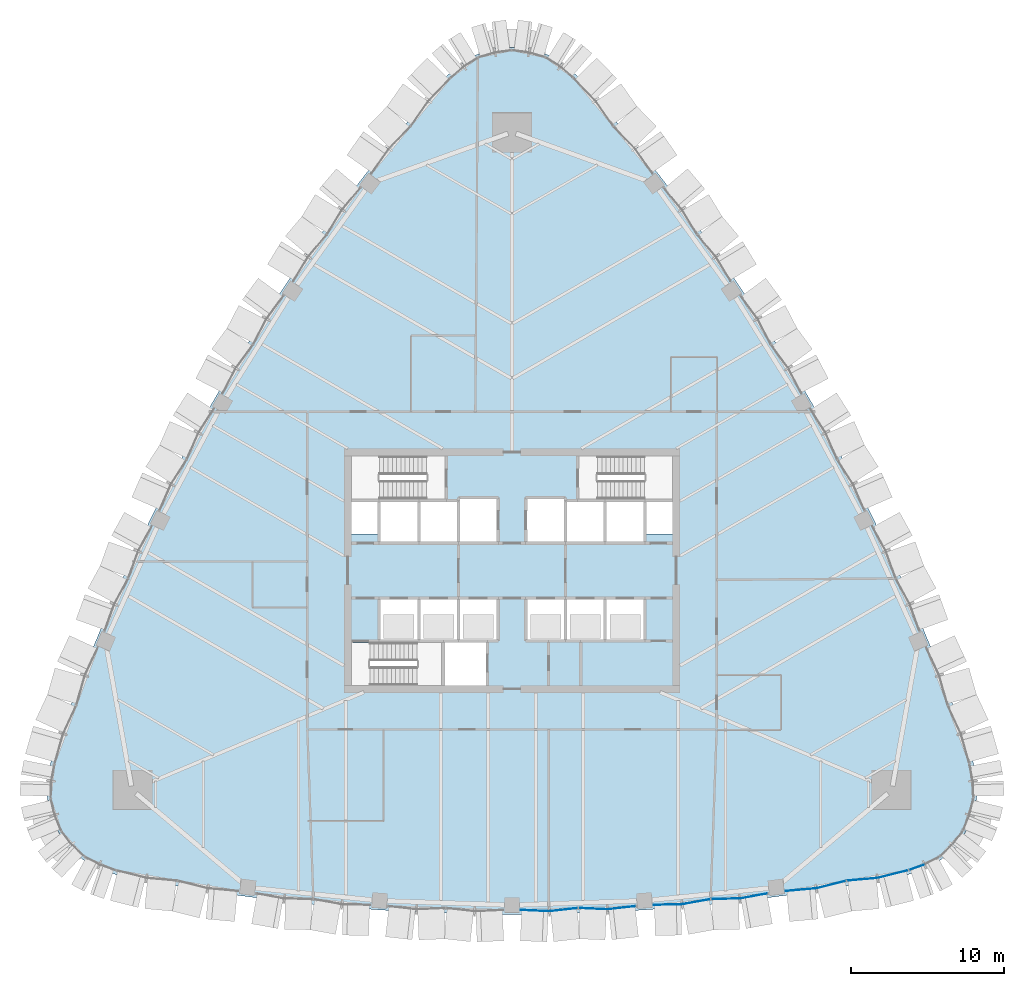
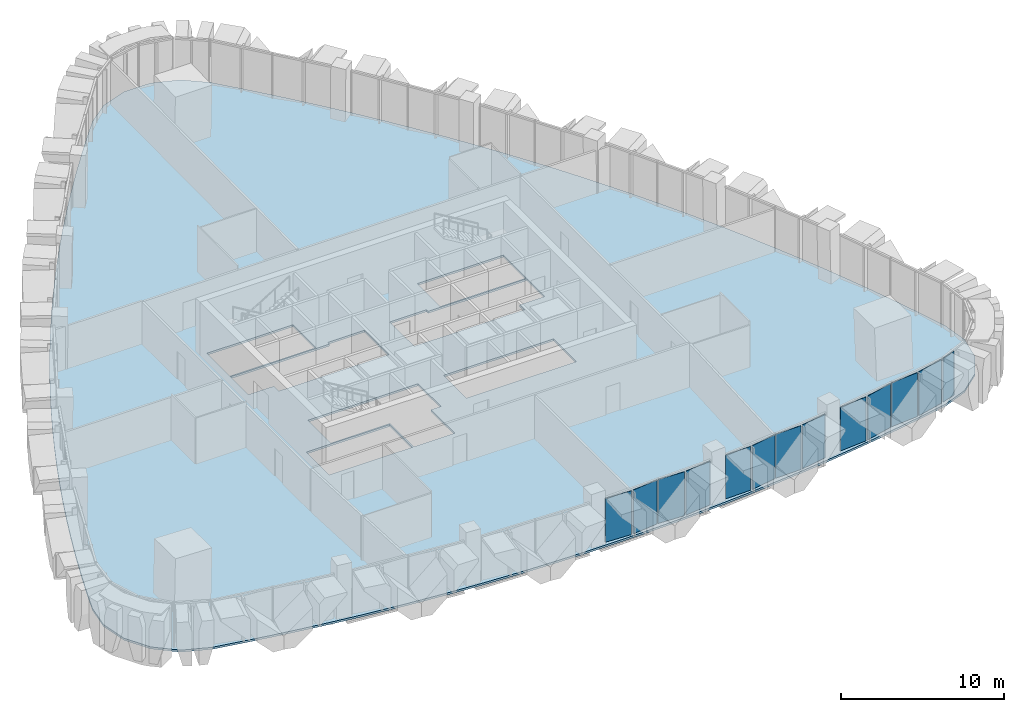
# One storey, part 9 of 18: 13 plates, 1 slab, 4 elements without a shape of their own.
"""IFC4 building model written with IfcOpenShell, lengths in metres."""

from ifc_helpers import new_model, si_unit, direction, frame, origin, place, context, subcontext, project, spatial, polyline, outline, extrude, material, layer, layer_set, type_object, element, aggregate, save


model = new_model("IFC4")

# Units and contexts
model_context = context("Model", 3, precision=1e-05, world=origin(), true_north=direction((0.0, 1.0)))
body_context = subcontext(model_context, "Body", "Model", "MODEL_VIEW")
ifc_project = project(units=[si_unit("LENGTHUNIT", "METRE"), si_unit("AREAUNIT", "SQUARE_METRE"), si_unit("VOLUMEUNIT", "CUBIC_METRE"), si_unit("PLANEANGLEUNIT", "RADIAN"), si_unit("MASSUNIT", "GRAM", prefix="KILO")], contexts=[model_context])

# Site, building, storey
site_placement = place(None, origin())
site = spatial("IfcSite", under=ifc_project, at=site_placement, CompositionType="ELEMENT")
building_placement = place(site_placement, origin())
building = spatial("IfcBuilding", under=site, at=building_placement, Name="Sierra Prisma Convention Tower", CompositionType="ELEMENT")
storey_placement = place(building_placement, frame((0.0, 0.0, 133.800048828125)))
storey = spatial("IfcBuildingStorey", under=building, at=storey_placement, Name="L28", CompositionType="ELEMENT", Elevation=133.800048828125)

# Curtain wall, plates
ifc_material_1 = material(Name="Aluminium and glass curtain wall", Category="aluminium")
ifc_layer_1 = layer(ifc_material_1, 0.179931640625)
ifc_layer_set_1 = layer_set([ifc_layer_1], Name="CW-2 Faceted crystal curtain wall")
curtain_wall_type = type_object("IfcCurtainWallType", Name="CW-2 Faceted crystal curtain wall", PredefinedType="NOTDEFINED", material=ifc_layer_set_1)
curtain_wall_1_placement = place(storey_placement, origin())
curtain_wall_1 = element("IfcCurtainWall", 1, at=curtain_wall_1_placement, inside=storey, type_object=curtain_wall_type, Name="CW-2 S4 L28", PredefinedType="NOTDEFINED")
ifc_material_2 = material(Name="Tinted glass bronze-grey IGU", Category="glass")
ifc_layer_2 = layer(ifc_material_2, 0.028076171875)
ifc_layer_set_2 = layer_set([ifc_layer_2], Name="CW-2 crystal pane")
plate_type = type_object("IfcPlateType", Name="CW-2 crystal pane", PredefinedType="CURTAIN_PANEL", material=ifc_layer_set_2)
plate_1_placement = place(storey_placement, frame((0.569580078125, -22.22509765625, 0.0), z_axis=(-0.045150885036, -0.998980178773, 0.0), x_axis=(0.998980178773, -0.045150885036, 0.0)))
plate_1 = element("IfcPlate", 2, at=plate_1_placement, type_object=plate_type, Name="CW-2 pane S4.1.1", PredefinedType="CURTAIN_PANEL", context=body_context, shape_type="SweptSolid", body=[
    extrude(outline(polyline([(0.0, 0.0), (1.8114176346555937, 0.0), (1.8114176346555937, 3.280029296875), (0.0, 3.280029296875), (0.0, 0.0)])), origin(), (0.0, 0.0, -1.0), 0.028076171875),
])
plate_2_placement = place(storey_placement, frame((4.30859375, -22.099853515625, 0.0), z_axis=(0.111881295472, -0.993721578574, 0.0), x_axis=(-0.993721578574, -0.111881295472, 0.0)))
plate_2 = element("IfcPlate", 3, at=plate_2_placement, type_object=plate_type, Name="CW-2 pane S4.1.2", PredefinedType="CURTAIN_PANEL", context=body_context, shape_type="SweptSolid", body=[
    extrude(outline(polyline([(0.0, 0.0), (1.8111760137912438, 0.0), (1.8111760137912438, -3.280029296875), (0.0, -3.280029296875), (0.0, 0.0)])), origin(), (0.0, 0.0, -1.0), 0.028076171875),
])
plate_3_placement = place(storey_placement, frame((4.378662109375, -22.09765625, 0.0), z_axis=(-0.045022441762, -0.998985975746, 0.0), x_axis=(0.998985975746, -0.045022441762, 0.0)))
plate_3 = element("IfcPlate", 4, at=plate_3_placement, type_object=plate_type, Name="CW-2 pane S4.2.1", PredefinedType="CURTAIN_PANEL", context=body_context, shape_type="SweptSolid", body=[
    extrude(outline(polyline([(0.0, 0.0), (1.8111627348155124, 0.0), (1.8111627348155124, 3.280029296875001), (0.0, 3.280029296875001), (0.0, 0.0)])), origin(), (0.0, 0.0, -1.0), 0.028076171875),
])
plate_4_placement = place(storey_placement, frame((8.117431640625, -21.972412109375, 0.0), z_axis=(0.111748183028, -0.993736556432, 0.0), x_axis=(-0.993736556432, -0.111748183028, 0.0)))
plate_4 = element("IfcPlate", 5, at=plate_4_placement, type_object=plate_type, Name="CW-2 pane S4.2.2", PredefinedType="CURTAIN_PANEL", context=body_context, shape_type="SweptSolid", body=[
    extrude(outline(polyline([(0.0, 0.0), (1.8111487152707966, 0.0), (1.8111487152707966, -3.280029296875), (0.0, -3.280029296875), (0.0, 0.0)])), origin(), (0.0, 0.0, -1.0), 0.028076171875),
])
aggregate(curtain_wall_1, [plate_1, plate_2, plate_3, plate_4])

curtain_wall_2_placement = place(storey_placement, origin())
curtain_wall_2 = element("IfcCurtainWall", 6, at=curtain_wall_2_placement, inside=storey, type_object=curtain_wall_type, Name="CW-2 S5 L28", PredefinedType="NOTDEFINED")
plate_5_placement = place(storey_placement, frame((9.26708984375, -21.895751953125, 0.0), z_axis=(0.021934050109, -0.999759419783, 0.0), x_axis=(0.999759419783, 0.021934050109, 0.0)))
plate_5 = element("IfcPlate", 7, at=plate_5_placement, type_object=plate_type, Name="CW-2 pane S5.1.1", PredefinedType="CURTAIN_PANEL", context=body_context, shape_type="SweptSolid", body=[
    extrude(outline(polyline([(0.0, 0.0), (1.803168181591536, 0.0), (1.803168181591536, 3.280029296875), (0.0, 3.280029296875), (0.0, 0.0)])), origin(), (0.0, 0.0, -1.0), 0.028076171875),
])
plate_6_placement = place(storey_placement, frame((12.97314453125, -21.522216796875, 0.0), z_axis=(0.178039447768, -0.98402335086, 0.0), x_axis=(-0.98402335086, -0.178039447768, 0.0)))
plate_6 = element("IfcPlate", 8, at=plate_6_placement, type_object=plate_type, Name="CW-2 pane S5.1.2", PredefinedType="CURTAIN_PANEL", context=body_context, shape_type="SweptSolid", body=[
    extrude(outline(polyline([(0.0, 0.0), (1.803223532194353, 0.0), (1.803223532194353, -3.280029296875), (0.0, -3.280029296875), (0.0, 0.0)])), origin(), (0.0, 0.0, -1.0), 0.028076171875),
])
plate_7_placement = place(storey_placement, frame((13.04296875, -21.51513671875, 0.0), z_axis=(0.021934050109, -0.999759419783, 0.0), x_axis=(0.999759419783, 0.021934050109, 0.0)))
plate_7 = element("IfcPlate", 9, at=plate_7_placement, type_object=plate_type, Name="CW-2 pane S5.2.1", PredefinedType="CURTAIN_PANEL", context=body_context, shape_type="SweptSolid", body=[
    extrude(outline(polyline([(0.0, 0.0), (1.803168181591536, 0.0), (1.803168181591536, 3.280029296875), (0.0, 3.280029296875), (0.0, 0.0)])), origin(), (0.0, 0.0, -1.0), 0.028076171875),
])
plate_8_placement = place(storey_placement, frame((16.7490234375, -21.1416015625, 0.0), z_axis=(0.178039447768, -0.98402335086, 0.0), x_axis=(-0.98402335086, -0.178039447768, 0.0)))
plate_8 = element("IfcPlate", 10, at=plate_8_placement, type_object=plate_type, Name="CW-2 pane S5.2.2", PredefinedType="CURTAIN_PANEL", context=body_context, shape_type="SweptSolid", body=[
    extrude(outline(polyline([(0.0, 0.0), (1.803223532194353, 0.0), (1.803223532194353, -3.280029296875), (0.0, -3.280029296875), (0.0, 0.0)])), origin(), (0.0, 0.0, -1.0), 0.028076171875),
])
aggregate(curtain_wall_2, [plate_5, plate_6, plate_7, plate_8])

curtain_wall_3_placement = place(storey_placement, origin())
curtain_wall_3 = element("IfcCurtainWall", 11, at=curtain_wall_3_placement, inside=storey, type_object=curtain_wall_type, Name="CW-2 S6 L28", PredefinedType="NOTDEFINED")
plate_9_placement = place(storey_placement, frame((17.9228515625, -20.985107421875, 0.0), z_axis=(0.088856127955, -0.996044471158, 0.0), x_axis=(0.996044471158, 0.088856127955, 0.0)))
plate_9 = element("IfcPlate", 12, at=plate_9_placement, type_object=plate_type, Name="CW-2 pane S6.1.1", PredefinedType="CURTAIN_PANEL", context=body_context, shape_type="SweptSolid", body=[
    extrude(outline(polyline([(0.0, 0.0), (1.939801848408772, 0.0), (1.939801848408772, 3.280029296875), (0.0, 3.280029296875), (0.0, 0.0)])), origin(), (0.0, 0.0, -1.0), 0.028076171875),
])
plate_10_placement = place(storey_placement, frame((21.8642578125, -20.31884765625, 0.0), z_axis=(0.243542388, -0.969890254228, 0.0), x_axis=(-0.969890254228, -0.243542388, 0.0)))
plate_10 = element("IfcPlate", 13, at=plate_10_placement, type_object=plate_type, Name="CW-2 pane S6.1.2", PredefinedType="CURTAIN_PANEL", context=body_context, shape_type="SweptSolid", body=[
    extrude(outline(polyline([(0.0, 0.0), (1.939753129849648, 0.0), (1.939753129849648, -3.280029296875), (0.0, -3.280029296875), (0.0, 0.0)])), origin(), (0.0, 0.0, -1.0), 0.028076171875),
])
plate_11_placement = place(storey_placement, frame((21.933349609375, -20.30712890625, 0.0), z_axis=(0.088720138755, -0.996056593261, 0.0), x_axis=(0.996056593261, 0.088720138755, 0.0)))
plate_11 = element("IfcPlate", 14, at=plate_11_placement, type_object=plate_type, Name="CW-2 pane S6.2.1", PredefinedType="CURTAIN_PANEL", context=body_context, shape_type="SweptSolid", body=[
    extrude(outline(polyline([(0.0, 0.0), (1.9400233480188993, 0.0), (1.9400233480188993, 3.280029296875), (0.0, 3.280029296875), (0.0, 0.0)])), origin(), (0.0, 0.0, -1.0), 0.028076171875),
])
plate_12_placement = place(storey_placement, frame((25.875, -19.64111328125, 0.0), z_axis=(0.2435126618, -0.969897718083, 0.0), x_axis=(-0.969897718083, -0.2435126618, 0.0)))
plate_12 = element("IfcPlate", 15, at=plate_12_placement, type_object=plate_type, Name="CW-2 pane S6.2.2", PredefinedType="CURTAIN_PANEL", context=body_context, shape_type="SweptSolid", body=[
    extrude(outline(polyline([(0.0, 0.0), (1.9399899203736675, 0.0), (1.9399899203736675, -3.280029296875001), (0.0, -3.280029296875001), (0.0, 0.0)])), origin(), (0.0, 0.0, -1.0), 0.028076171875),
])
aggregate(curtain_wall_3, [plate_9, plate_10, plate_11, plate_12])

# Curtain wall, plate
curtain_wall_4_placement = place(storey_placement, origin())
curtain_wall_4 = element("IfcCurtainWall", 16, at=curtain_wall_4_placement, inside=storey, type_object=curtain_wall_type, Name="CW-2 SE1 L28", PredefinedType="NOTDEFINED")
plate_13_placement = place(storey_placement, frame((26.008056640625, -19.601318359375, 0.0), z_axis=(0.327656807012, -0.944796812452, 0.0), x_axis=(0.944796812452, 0.327656807012, 0.0)))
plate_13 = element("IfcPlate", 17, at=plate_13_placement, type_object=plate_type, Name="CW-2 pane SE1.1.1", PredefinedType="CURTAIN_PANEL", context=body_context, shape_type="SweptSolid", body=[
    extrude(outline(polyline([(0.0, 0.0), (0.9977033587560278, 0.0), (0.9977033587560278, 3.280029296875), (0.0, 3.280029296875), (0.0, 0.0)])), origin(), (0.0, 0.0, -1.0), 0.028076171875),
])
aggregate(curtain_wall_4, [plate_13])

# Slab
ifc_material_3 = material(Name="Concrete C35/45", Category="concrete")
ifc_layer_3 = layer(ifc_material_3, 0.14990234375)
ifc_layer_set_3 = layer_set([ifc_layer_3], Name="Composite floor slab 150")
slab_type = type_object("IfcSlabType", Name="Composite floor slab 150", PredefinedType="FLOOR", material=ifc_layer_set_3)
slab_placement = place(storey_placement, frame((0.0, 0.0, -0.150146484375)))
element("IfcSlab", 18, at=slab_placement, inside=storey, type_object=slab_type, Name="Floor slab L28 floor", PredefinedType="FLOOR", context=body_context, shape_type="SweptSolid", body=[
    extrude(outline(polyline([(-25.993896484375, -19.87451171875), (-24.091552734375, -20.2470703125), (-22.183837890625, -20.591552734375), (-20.271240234375, -20.9072265625), (-18.354248046875, -21.19482421875), (-16.43310546875, -21.45361328125), (-14.508544921875, -21.683837890625), (-12.58056640625, -21.88525390625), (-10.649658203125, -22.05810546875), (-8.716552734375, -22.202392578125), (-6.78173828125, -22.317626953125), (-4.844970703125, -22.404052734375), (-2.907470703125, -22.4619140625), (-0.96923828125, -22.49072265625), (0.96923828125, -22.49072265625), (2.907470703125, -22.4619140625), (4.844970703125, -22.404052734375), (6.78173828125, -22.317626953125), (8.716552734375, -22.202392578125), (10.649658203125, -22.05810546875), (12.58056640625, -21.88525390625), (14.508544921875, -21.683837890625), (16.43310546875, -21.45361328125), (18.354248046875, -21.19482421875), (20.271240234375, -20.9072265625), (22.183837890625, -20.591552734375), (24.091552734375, -20.2470703125), (25.993896484375, -19.87451171875), (27.76171875, -19.1884765625), (29.201416015625, -17.954345703125), (30.149658203125, -16.31201171875), (30.49853515625, -14.447998046875), (30.208740234375, -12.573974609375), (29.580322265625, -10.740234375), (28.924560546875, -8.916015625), (28.241943359375, -7.101806640625), (27.5322265625, -5.2978515625), (26.7958984375, -3.5048828125), (26.032958984375, -1.72265625), (25.24365234375, 0.047607421875), (24.427734375, 1.80615234375), (23.586181640625, 3.55224609375), (22.718505859375, 5.285888671875), (21.8251953125, 7.006103515625), (20.90625, 8.712890625), (19.962158203125, 10.406005859375), (18.992919921875, 12.084716796875), (17.998779296875, 13.748779296875), (16.97998046875, 15.39794921875), (15.936767578125, 17.031982421875), (14.869384765625, 18.64990234375), (13.778076171875, 20.251953125), (12.6630859375, 21.837646484375), (11.5244140625, 23.406494140625), (10.36279296875, 24.958251953125), (9.177978515625, 26.49267578125), (7.970703125, 28.00927734375), (6.74072265625, 29.507568359375), (5.48876953125, 30.987548828125), (4.21484375, 32.448486328125), (2.73681640625, 33.636474609375), (0.9482421875, 34.266357421875), (-0.9482421875, 34.266357421875), (-2.73681640625, 33.636474609375), (-4.21484375, 32.448486328125), (-5.48876953125, 30.987548828125), (-6.74072265625, 29.507568359375), (-7.970703125, 28.00927734375), (-9.177978515625, 26.49267578125), (-10.36279296875, 24.958251953125), (-11.5244140625, 23.406494140625), (-12.6630859375, 21.837646484375), (-13.778076171875, 20.251953125), (-14.869384765625, 18.64990234375), (-15.936767578125, 17.031982421875), (-16.97998046875, 15.39794921875), (-17.998779296875, 13.748779296875), (-18.992919921875, 12.084716796875), (-19.962158203125, 10.406005859375), (-20.90625, 8.712890625), (-21.8251953125, 7.006103515625), (-22.718505859375, 5.285888671875), (-23.586181640625, 3.55224609375), (-24.427734375, 1.80615234375), (-25.24365234375, 0.047607421875), (-26.032958984375, -1.72265625), (-26.7958984375, -3.5048828125), (-27.5322265625, -5.2978515625), (-28.241943359375, -7.101806640625), (-28.924560546875, -8.916015625), (-29.580322265625, -10.740234375), (-30.208740234375, -12.573974609375), (-30.49853515625, -14.447998046875), (-30.149658203125, -16.31201171875), (-29.201416015625, -17.954345703125), (-27.76171875, -19.1884765625), (-25.993896484375, -19.87451171875)]), holes=[polyline([(-4.60009765625, -7.5), (-10.5, -7.5), (-10.5, -4.699951171875), (-4.60009765625, -4.699951171875), (-4.60009765625, -7.5)]), polyline([(-8.699951171875, -4.60009765625), (-8.699951171875, -1.800048828125), (-6.10009765625, -1.800048828125), (-3.5, -1.800048828125), (-0.89990234375, -1.800048828125), (-0.89990234375, -4.60009765625), (-1.60009765625, -4.60009765625), (-1.60009765625, -7.5), (-4.5, -7.5), (-4.5, -4.60009765625), (-6.10009765625, -4.60009765625), (-8.699951171875, -4.60009765625)]), polyline([(-10.5, 4.60009765625), (-8.699951171875, 4.60009765625), (-6.10009765625, 4.60009765625), (-3.5, 4.60009765625), (-3.5, 4.800048828125), (-0.89990234375, 4.800048828125), (-0.89990234375, 1.800048828125), (-3.5, 1.800048828125), (-6.10009765625, 1.800048828125), (-8.699951171875, 1.800048828125), (-8.699951171875, 2.39990234375), (-10.5, 2.39990234375), (-10.5, 4.60009765625)]), polyline([(-10.5, 4.699951171875), (-10.5, 7.5), (-4.39990234375, 7.5), (-4.39990234375, 4.699951171875), (-10.5, 4.699951171875)]), polyline([(6.10009765625, -1.800048828125), (8.699951171875, -1.800048828125), (8.699951171875, -4.60009765625), (6.10009765625, -4.60009765625), (3.5, -4.60009765625), (0.89990234375, -4.60009765625), (0.89990234375, -1.800048828125), (3.5, -1.800048828125), (6.10009765625, -1.800048828125)]), polyline([(8.699951171875, 4.60009765625), (10.5, 4.60009765625), (10.5, 2.39990234375), (8.699951171875, 2.39990234375), (8.699951171875, 1.800048828125), (6.10009765625, 1.800048828125), (3.5, 1.800048828125), (0.89990234375, 1.800048828125), (0.89990234375, 4.800048828125), (3.5, 4.800048828125), (3.5, 4.60009765625), (6.10009765625, 4.60009765625), (8.699951171875, 4.60009765625)]), polyline([(4.39990234375, 4.699951171875), (4.39990234375, 7.5), (10.5, 7.5), (10.5, 4.699951171875), (4.39990234375, 4.699951171875)])]), origin(), (0.0, 0.0, 1.0), 0.150146484375),
])

save(model, "model.ifc")
